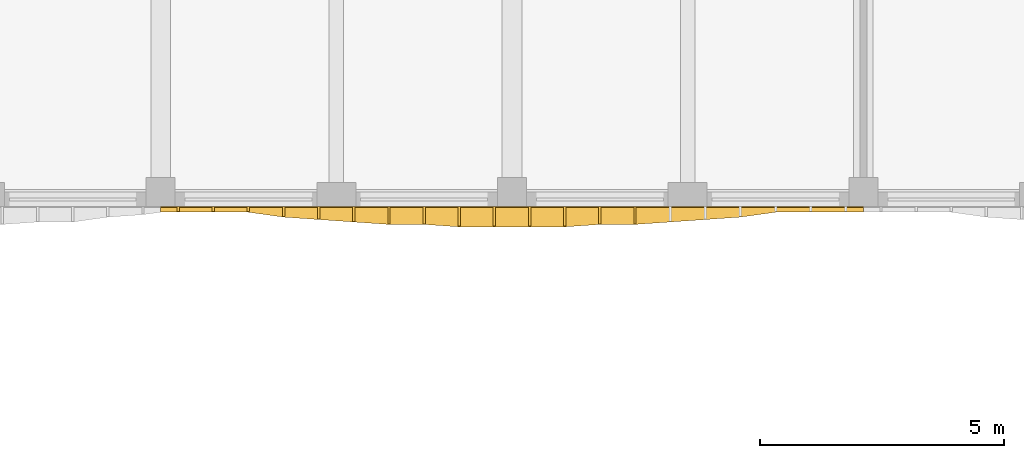
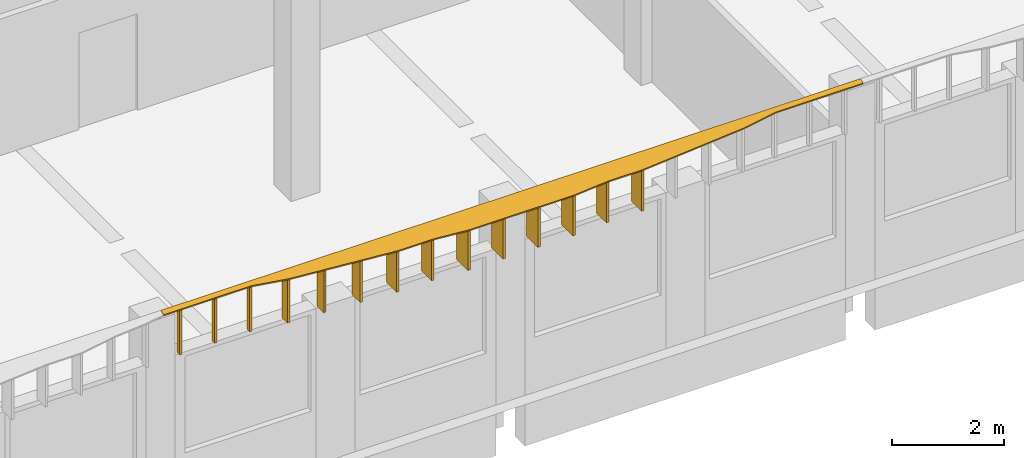
# One storey, part 25 of 38: 15 shading devices.
"""IFC4 building model written with IfcOpenShell, lengths in metres."""

from ifc_helpers import new_model, si_unit, direction, frame, origin, place, context, subcontext, project, spatial, polyline, outline, extrude, material, layer, layer_set, type_object, element, save


model = new_model("IFC4")

# Units and contexts
model_context = context("Model", 3, precision=1e-05, world=origin(), true_north=direction((0.0, 1.0)))
body_context = subcontext(model_context, "Body", "Model", "MODEL_VIEW")
ifc_project = project(units=[si_unit("LENGTHUNIT", "METRE"), si_unit("AREAUNIT", "SQUARE_METRE"), si_unit("VOLUMEUNIT", "CUBIC_METRE"), si_unit("PLANEANGLEUNIT", "RADIAN"), si_unit("MASSUNIT", "GRAM", prefix="KILO")], contexts=[model_context])

# Site, building, storey
site_placement = place(None, origin())
site = spatial("IfcSite", under=ifc_project, at=site_placement, CompositionType="ELEMENT")
building_placement = place(site_placement, origin())
building = spatial("IfcBuilding", under=site, at=building_placement, Name="Ussher Court Research Institute", CompositionType="ELEMENT")
storey_placement = place(building_placement, frame((0.0, 0.0, 23.39990234375)))
storey = spatial("IfcBuildingStorey", under=building, at=storey_placement, Name="L05", CompositionType="ELEMENT", Elevation=23.39990234375)

# Shading devices
ifc_material_1 = material(Name="Bronze anodised aluminium", Category="aluminium")
ifc_layer_1 = layer(ifc_material_1, 0.050048828125)
ifc_layer_set_1 = layer_set([ifc_layer_1], Name="Bronze anodised aluminium")
shading_device_type_1 = type_object("IfcShadingDeviceType", Name="Brim blade 100 mm deep 1000 mm high canted 20 deg dry", PredefinedType="USERDEFINED", material=ifc_layer_set_1)
for number, where, z_axis, x_axis, name in (
    (1, (26.39990234375, 68.39990234375, 3.4501953125), (0.0, 0.0, 1.0), (0.0, -1.0, 0.0), "Brim blade BS17 L05"),
    (2, (25.679931640625, 68.39990234375, 3.4501953125), (0.0, 0.0, 1.0), (0.0, -1.0, 0.0), "Brim blade BS17 L05"),
    (3, (24.9599609375, 68.39990234375, 3.4501953125), (0.0, 0.0, 1.0), (0.0, -1.0, 0.0), "Brim blade BS17 L05"),
):
    element("IfcShadingDevice", number, at=place(storey_placement, frame(where, z_axis=z_axis, x_axis=x_axis)), inside=storey, type_object=shading_device_type_1, Name=name, ObjectType="BLADE", PredefinedType="USERDEFINED", context=body_context, shape_type="SweptSolid", body=[
        extrude(outline(polyline([(0.0, 0.0), (0.099853515625, 0.0), (0.10009765625, 0.963623046875), (0.0, 1.0), (0.0, 0.0)])), frame((0.0, 0.02490234375, 0.0), z_axis=(0.0, -1.0, 0.0), x_axis=(1.0, 0.0, 0.0)), (0.0, 0.0, 1.0), 0.050048828125),
    ])
ifc_material_2 = material(Name="Bronze anodised aluminium", Category="aluminium")
ifc_layer_2 = layer(ifc_material_2, 0.050048828125)
ifc_layer_set_2 = layer_set([ifc_layer_2], Name="Bronze anodised aluminium")
shading_device_type_2 = type_object("IfcShadingDeviceType", Name="Brim blade 200 mm deep 1000 mm high canted 20 deg dry", PredefinedType="USERDEFINED", material=ifc_layer_set_2)
shading_device_1_placement = place(storey_placement, frame((27.1201171875, 68.39990234375, 3.4501953125), z_axis=(0.0, 0.0, 1.0), x_axis=(0.0, -1.0, 0.0)))
element("IfcShadingDevice", 4, at=shading_device_1_placement, inside=storey, type_object=shading_device_type_2, Name="Brim blade BS15 L05", ObjectType="BLADE", PredefinedType="USERDEFINED", context=body_context, shape_type="SweptSolid", body=[
    extrude(outline(polyline([(0.0, 0.0), (0.199951171875, 0.0), (0.199951171875, 0.927001953125), (0.0, 1.0), (0.0, 0.0)])), frame((0.0, 0.02490234375, 0.0), z_axis=(0.0, -1.0, 0.0), x_axis=(1.0, 0.0, 0.0)), (0.0, 0.0, 1.0), 0.050048828125),
])
ifc_material_3 = material(Name="Bronze anodised aluminium", Category="aluminium")
ifc_layer_3 = layer(ifc_material_3, 0.050048828125)
ifc_layer_set_3 = layer_set([ifc_layer_3], Name="Bronze anodised aluminium")
shading_device_type_3 = type_object("IfcShadingDeviceType", Name="Brim blade 250 mm deep 1000 mm high canted 20 deg dry", PredefinedType="USERDEFINED", material=ifc_layer_set_3)
shading_device_2_placement = place(storey_placement, frame((27.840087890625, 68.39990234375, 3.4501953125), z_axis=(0.0, 0.0, 1.0), x_axis=(0.0, -1.0, 0.0)))
element("IfcShadingDevice", 5, at=shading_device_2_placement, inside=storey, type_object=shading_device_type_3, Name="Brim blade BS14 L05", ObjectType="BLADE", PredefinedType="USERDEFINED", context=body_context, shape_type="SweptSolid", body=[
    extrude(outline(polyline([(0.0, 0.0), (0.25, 0.0), (0.25, 0.908935546875), (0.0, 1.0), (0.0, 0.0)])), frame((0.0, 0.02490234375, 0.0), z_axis=(0.0, -1.0, 0.0), x_axis=(1.0, 0.0, 0.0)), (0.0, 0.0, 1.0), 0.050048828125),
])
ifc_material_4 = material(Name="Bronze anodised aluminium", Category="aluminium")
ifc_layer_4 = layer(ifc_material_4, 0.050048828125)
ifc_layer_set_4 = layer_set([ifc_layer_4], Name="Bronze anodised aluminium")
shading_device_type_4 = type_object("IfcShadingDeviceType", Name="Brim blade 300 mm deep 1000 mm high canted 20 deg dry", PredefinedType="USERDEFINED", material=ifc_layer_set_4)
shading_device_3_placement = place(storey_placement, frame((28.56005859375, 68.39990234375, 3.4501953125), z_axis=(0.0, 0.0, 1.0), x_axis=(0.0, -1.0, 0.0)))
element("IfcShadingDevice", 6, at=shading_device_3_placement, inside=storey, type_object=shading_device_type_4, Name="Brim blade BS13 L05", ObjectType="BLADE", PredefinedType="USERDEFINED", context=body_context, shape_type="SweptSolid", body=[
    extrude(outline(polyline([(0.0, 0.0), (0.2998046875, 0.0), (0.300048828125, 0.890625), (0.0, 1.0), (0.0, 0.0)])), frame((0.0, 0.02490234375, 0.0), z_axis=(0.0, -1.0, 0.0), x_axis=(1.0, 0.0, 0.0)), (0.0, 0.0, 1.0), 0.050048828125),
])
ifc_material_5 = material(Name="Bronze anodised aluminium", Category="aluminium")
ifc_layer_5 = layer(ifc_material_5, 0.050048828125)
ifc_layer_set_5 = layer_set([ifc_layer_5], Name="Bronze anodised aluminium")
shading_device_type_5 = type_object("IfcShadingDeviceType", Name="Brim blade 350 mm deep 1000 mm high canted 20 deg dry", PredefinedType="USERDEFINED", material=ifc_layer_set_5)
for number, where, z_axis, x_axis, name in (
    (7, (34.320068359375, 68.39990234375, 3.4501953125), (0.0, 0.0, 1.0), (0.0, -1.0, 0.0), "Brim blade BS12 L05"),
    (8, (33.60009765625, 68.39990234375, 3.4501953125), (0.0, 0.0, 1.0), (0.0, -1.0, 0.0), "Brim blade BS12 L05"),
    (9, (30.0, 68.39990234375, 3.4501953125), (0.0, 0.0, 1.0), (0.0, -1.0, 0.0), "Brim blade BS12 L05"),
    (10, (29.280029296875, 68.39990234375, 3.4501953125), (0.0, 0.0, 1.0), (0.0, -1.0, 0.0), "Brim blade BS12 L05"),
):
    element("IfcShadingDevice", number, at=place(storey_placement, frame(where, z_axis=z_axis, x_axis=x_axis)), inside=storey, type_object=shading_device_type_5, Name=name, ObjectType="BLADE", PredefinedType="USERDEFINED", context=body_context, shape_type="SweptSolid", body=[
        extrude(outline(polyline([(0.0, 0.0), (0.349853515625, 0.0), (0.35009765625, 0.87255859375), (0.0, 1.0), (0.0, 0.0)])), frame((0.0, 0.02490234375, 0.0), z_axis=(0.0, -1.0, 0.0), x_axis=(1.0, 0.0, 0.0)), (0.0, 0.0, 1.0), 0.050048828125),
    ])
ifc_material_6 = material(Name="Bronze anodised aluminium", Category="aluminium")
ifc_layer_6 = layer(ifc_material_6, 0.050048828125)
ifc_layer_set_6 = layer_set([ifc_layer_6], Name="Bronze anodised aluminium")
shading_device_type_6 = type_object("IfcShadingDeviceType", Name="Brim blade 400 mm deep 1000 mm high canted 20 deg dry", PredefinedType="USERDEFINED", material=ifc_layer_set_6)
for number, where, z_axis, x_axis, name in (
    (11, (32.8798828125, 68.39990234375, 3.4501953125), (0.0, 0.0, 1.0), (0.0, -1.0, 0.0), "Brim blade BS11 L05"),
    (12, (32.159912109375, 68.39990234375, 3.4501953125), (0.0, 0.0, 1.0), (0.0, -1.0, 0.0), "Brim blade BS11 L05"),
    (13, (31.43994140625, 68.39990234375, 3.4501953125), (0.0, 0.0, 1.0), (0.0, -1.0, 0.0), "Brim blade BS11 L05"),
    (14, (30.719970703125, 68.39990234375, 3.4501953125), (0.0, 0.0, 1.0), (0.0, -1.0, 0.0), "Brim blade BS11 L05"),
):
    element("IfcShadingDevice", number, at=place(storey_placement, frame(where, z_axis=z_axis, x_axis=x_axis)), inside=storey, type_object=shading_device_type_6, Name=name, ObjectType="BLADE", PredefinedType="USERDEFINED", context=body_context, shape_type="SweptSolid", body=[
        extrude(outline(polyline([(0.0, 0.0), (0.39990234375, 0.0), (0.39990234375, 0.854248046875), (0.0, 1.0), (0.0, 0.0)])), frame((0.0, 0.02490234375, 0.0), z_axis=(0.0, -1.0, 0.0), x_axis=(1.0, 0.0, 0.0)), (0.0, 0.0, 1.0), 0.050048828125),
    ])
ifc_material_7 = material(Name="Bronze anodised aluminium", Category="aluminium")
ifc_layer_7 = layer(ifc_material_7, 0.0400390625)
ifc_layer_set_7 = layer_set([ifc_layer_7], Name="Bronze anodised aluminium")
shading_device_type_7 = type_object("IfcShadingDeviceType", Name="Brim visor sheet 40 mm canted 20 deg dry", PredefinedType="USERDEFINED", material=ifc_layer_set_7)
shading_device_4_placement = place(storey_placement, frame((39.0, 68.38623046875, 4.48779296875), z_axis=(0.0, -0.342400477754, 0.939554103197), x_axis=(-1.0, 0.0, 0.0)))
element("IfcShadingDevice", 15, at=shading_device_4_placement, inside=storey, type_object=shading_device_type_7, Name="Brim visor sheet BR2 L05", ObjectType="BRIM", PredefinedType="USERDEFINED", context=body_context, shape_type="SweptSolid", body=[
    extrude(outline(polyline([(0.0, 0.0), (14.39990234375, 0.0), (14.39990234375, 0.10627326645332352), (14.0400390625, 0.10627326645332352), (13.320068359375, 0.10627326645332352), (12.60009765625, 0.10627326645332352), (11.8798828125, 0.21285951009926202), (11.159912109375, 0.26606903805559207), (10.43994140625, 0.31936215987856126), (9.719970703125, 0.3723423045089156), (9.0, 0.3723423045089156), (8.280029296875, 0.42563542633188484), (7.56005859375, 0.42563542633188484), (6.840087890625, 0.42563542633188484), (6.1201171875, 0.42563542633188484), (5.39990234375, 0.3723423045089156), (4.679931640625, 0.3723423045089156), (3.9599609375, 0.31936215987856126), (3.239990234375, 0.26606903805559207), (2.52001953125, 0.21285951009926202), (1.800048828125, 0.10627326645332352), (1.080078125, 0.10627326645332352), (0.360107421875, 0.10627326645332352), (0.0, 0.10627326645332352), (0.0, 0.0)])), origin(), (0.0, 0.0, -1.0), 0.0400390625),
])

save(model, "model.ifc")
